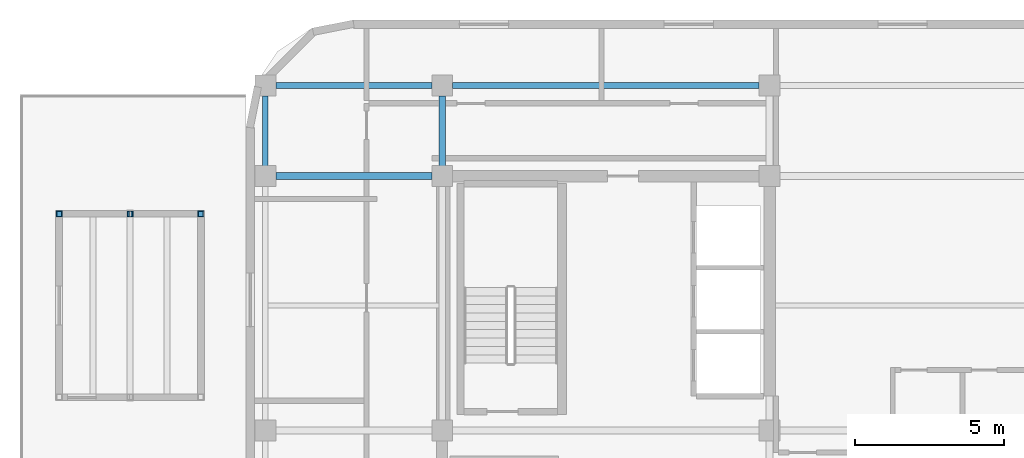
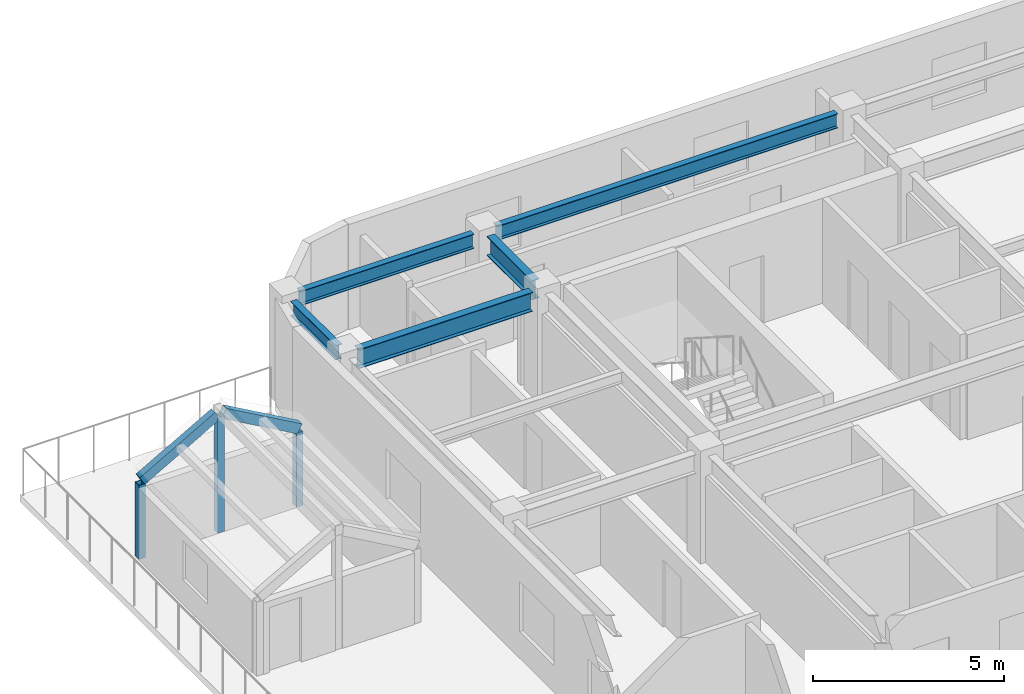
# One storey, part 7 of 16: 5 beams, 5 members.
"""IFC4 building model written with IfcOpenShell, lengths in metres."""

from ifc_helpers import new_model, si_unit, direction, frame, origin, origin_2d, place, context, subcontext, project, spatial, hollow_rectangle, i_section, extrude, material, material_profile, profile_set, type_object, element, save


model = new_model("IFC4")

# Units and contexts
model_context = context("Model", 3, precision=1e-05, world=origin(), true_north=direction((0.0, 1.0)))
body_context = subcontext(model_context, "Body", "Model", "MODEL_VIEW")
ifc_project = project(units=[si_unit("LENGTHUNIT", "METRE"), si_unit("AREAUNIT", "SQUARE_METRE"), si_unit("VOLUMEUNIT", "CUBIC_METRE"), si_unit("PLANEANGLEUNIT", "RADIAN"), si_unit("MASSUNIT", "GRAM", prefix="KILO")], contexts=[model_context])

# Site, building, storey
site_placement = place(None, origin())
site = spatial("IfcSite", under=ifc_project, at=site_placement, CompositionType="ELEMENT")
building_placement = place(site_placement, origin())
building = spatial("IfcBuilding", under=site, at=building_placement, Name="Ochreholt Gables", CompositionType="ELEMENT")
storey_placement = place(building_placement, frame((0.0, 0.0, 141.0)))
storey = spatial("IfcBuildingStorey", under=building, at=storey_placement, Name="L36", CompositionType="ELEMENT", Elevation=141.0)

# Beams
ifc_material = material(Name="Steel CSA G40.21 350W", Category="steel")
ifc_material_profile_1 = material_profile(ifc_material, i_section(OverallWidth=0.22900390625, OverallDepth=0.612060546875, WebThickness=0.011962890625, FlangeThickness=0.01953125, at=origin_2d()), Name="W610X125")
ifc_profile_set_1 = profile_set([ifc_material_profile_1], Name="Steel CSA G40.21 350W")
beam_type_1 = type_object("IfcBeamType", Name="BM-G-W610B", PredefinedType="BEAM", material=ifc_profile_set_1)
beam_1_placement = place(storey_placement, frame((18.599609375, 38.75, 3.053955078125), z_axis=(1.0, 0.0, 0.0), x_axis=(0.0, 1.0, 0.0)))
element("IfcBeam", 1, at=beam_1_placement, inside=storey, type_object=beam_type_1, Name="L36 Beam TBG-L36-W3C1-Y5", PredefinedType="BEAM", context=body_context, shape_type="SweptSolid", body=[
    extrude(i_section(OverallWidth=0.22900390625, OverallDepth=0.612060546875, WebThickness=0.011962890625, FlangeThickness=0.01953125, at=origin_2d()), origin(), (0.0, 0.0, 1.0), 5.250732421875),
])
beam_2_placement = place(storey_placement, frame((24.199951171875, 39.099609375, 3.053955078125), z_axis=(0.0, 1.0, 0.0), x_axis=(-1.0, 0.0, 0.0)))
element("IfcBeam", 2, at=beam_2_placement, inside=storey, type_object=beam_type_1, Name="L36 Beam TBN-L36-C1-Y5Y6", PredefinedType="BEAM", context=body_context, shape_type="SweptSolid", body=[
    extrude(i_section(OverallWidth=0.22900390625, OverallDepth=0.612060546875, WebThickness=0.011962890625, FlangeThickness=0.01953125, at=origin_2d()), origin(), (0.0, 0.0, 1.0), 2.350830078125),
])
ifc_material_profile_2 = material_profile(ifc_material, i_section(OverallWidth=0.19189453125, OverallDepth=0.462890625, WebThickness=0.010498046875, FlangeThickness=0.017578125, at=origin_2d()), Name="W460X89")
ifc_profile_set_2 = profile_set([ifc_material_profile_2], Name="Steel CSA G40.21 350W")
beam_type_2 = type_object("IfcBeamType", Name="BM-SP-W460A", PredefinedType="SPANDREL", material=ifc_profile_set_2)
beam_3_placement = place(storey_placement, frame((18.599609375, 41.800048828125, 3.12841796875), z_axis=(1.0, 0.0, 0.0), x_axis=(0.0, 1.0, 0.0)))
element("IfcBeam", 3, at=beam_3_placement, inside=storey, type_object=beam_type_2, Name="L36 Beam TBG-L36-W3C1-Y6", PredefinedType="SPANDREL", context=body_context, shape_type="SweptSolid", body=[
    extrude(i_section(OverallWidth=0.19189453125, OverallDepth=0.462890625, WebThickness=0.010498046875, FlangeThickness=0.017578125, at=origin_2d()), origin(), (0.0, 0.0, 1.0), 5.250732421875),
])
beam_4_placement = place(storey_placement, frame((24.549560546875, 41.800048828125, 3.12841796875), z_axis=(1.0, 0.0, 0.0), x_axis=(0.0, 1.0, 0.0)))
element("IfcBeam", 4, at=beam_4_placement, inside=storey, type_object=beam_type_2, Name="L36 Beam TBG-L36-C1C2-Y6", PredefinedType="SPANDREL", context=body_context, shape_type="SweptSolid", body=[
    extrude(i_section(OverallWidth=0.19189453125, OverallDepth=0.462890625, WebThickness=0.010498046875, FlangeThickness=0.017578125, at=origin_2d()), origin(), (0.0, 0.0, 1.0), 10.30078125),
])
beam_5_placement = place(storey_placement, frame((18.25, 39.099609375, 3.12841796875), z_axis=(0.0, 1.0, 0.0), x_axis=(-1.0, 0.0, 0.0)))
element("IfcBeam", 5, at=beam_5_placement, inside=storey, type_object=beam_type_2, Name="L36 Beam TBN-L36-W3-Y5Y6", PredefinedType="SPANDREL", context=body_context, shape_type="SweptSolid", body=[
    extrude(i_section(OverallWidth=0.19189453125, OverallDepth=0.462890625, WebThickness=0.010498046875, FlangeThickness=0.017578125, at=origin_2d()), origin(), (0.0, 0.0, 1.0), 2.350830078125),
])

# Members
ifc_material_profile_3 = material_profile(ifc_material, hollow_rectangle(XDim=0.202880859375, YDim=0.202880859375, WallThickness=0.009521484375, at=origin_2d()), Name="HSS203X203X10")
ifc_profile_set_3 = profile_set([ifc_material_profile_3], Name="Steel CSA G40.21 350W")
member_type_1 = type_object("IfcMemberType", Name="MEM-GB-PT2", PredefinedType="POST", material=ifc_profile_set_3)
for number, where, z_axis, x_axis, name in (
    (6, (16.080078125, 37.47998046875, 0.0), (0.0, 0.0, 1.0), (1.0, 0.0, 0.0), "L36 Gable Pavilion Post GB-36W2-P3"),
    (7, (11.320068359375, 37.47998046875, 0.0), (0.0, 0.0, 1.0), (1.0, 0.0, 0.0), "L36 Gable Pavilion Post GB-36W2-P4"),
):
    element("IfcMember", number, at=place(storey_placement, frame(where, z_axis=z_axis, x_axis=x_axis)), inside=storey, type_object=member_type_1, Name=name, PredefinedType="POST", context=body_context, shape_type="SweptSolid", body=[
        extrude(hollow_rectangle(XDim=0.202880859375, YDim=0.202880859375, WallThickness=0.009521484375, at=origin_2d()), origin(), (0.0, 0.0, 1.0), 2.366455078125),
    ])
member_1_placement = place(storey_placement, frame((13.699951171875, 37.47998046875, 0.0), z_axis=(0.0, 0.0, 1.0), x_axis=(1.0, 0.0, 0.0)))
element("IfcMember", 8, at=member_1_placement, inside=storey, type_object=member_type_1, Name="L36 Gable Ridge Post GB-36W2-PRG2", PredefinedType="POST", context=body_context, shape_type="SweptSolid", body=[
    extrude(hollow_rectangle(XDim=0.202880859375, YDim=0.202880859375, WallThickness=0.009521484375, at=origin_2d()), origin(), (0.0, 0.0, 1.0), 3.68798828125),
])
ifc_material_profile_4 = material_profile(ifc_material, hollow_rectangle(XDim=0.202880859375, YDim=0.304931640625, WallThickness=0.0126953125, at=origin_2d()), Name="HSS305X203X13")
ifc_profile_set_4 = profile_set([ifc_material_profile_4], Name="Steel CSA G40.21 350W")
member_type_2 = type_object("IfcMemberType", Name="MEM-GB-RF1", PredefinedType="RAFTER", material=ifc_profile_set_4)
member_2_placement = place(storey_placement, frame((11.320068359375, 37.47998046875, 2.47265625), z_axis=(0.86979292934, 0.0, 0.493416923169), x_axis=(0.0, 1.0, 0.0)))
element("IfcMember", 9, at=member_2_placement, inside=storey, type_object=member_type_2, Name="L36 Gable West Rafter 2 GB-36W2", PredefinedType="RAFTER", context=body_context, shape_type="SweptSolid", body=[
    extrude(hollow_rectangle(XDim=0.202880859375, YDim=0.304931640625, WallThickness=0.0126953125, at=origin_2d()), origin(), (0.0, 0.0, 1.0), 2.619873046875),
])
member_3_placement = place(storey_placement, frame((16.080078125, 37.47998046875, 2.47265625), z_axis=(-0.869815613535, 0.0, 0.49337693344), x_axis=(0.0, -1.0, 0.0)))
element("IfcMember", 10, at=member_3_placement, inside=storey, type_object=member_type_2, Name="L36 Gable East Rafter 2 GB-36W2", PredefinedType="RAFTER", context=body_context, shape_type="SweptSolid", body=[
    extrude(hollow_rectangle(XDim=0.202880859375, YDim=0.304931640625, WallThickness=0.0126953125, at=origin_2d()), origin(), (0.0, 0.0, 1.0), 2.6201171875),
])

save(model, "model.ifc")
